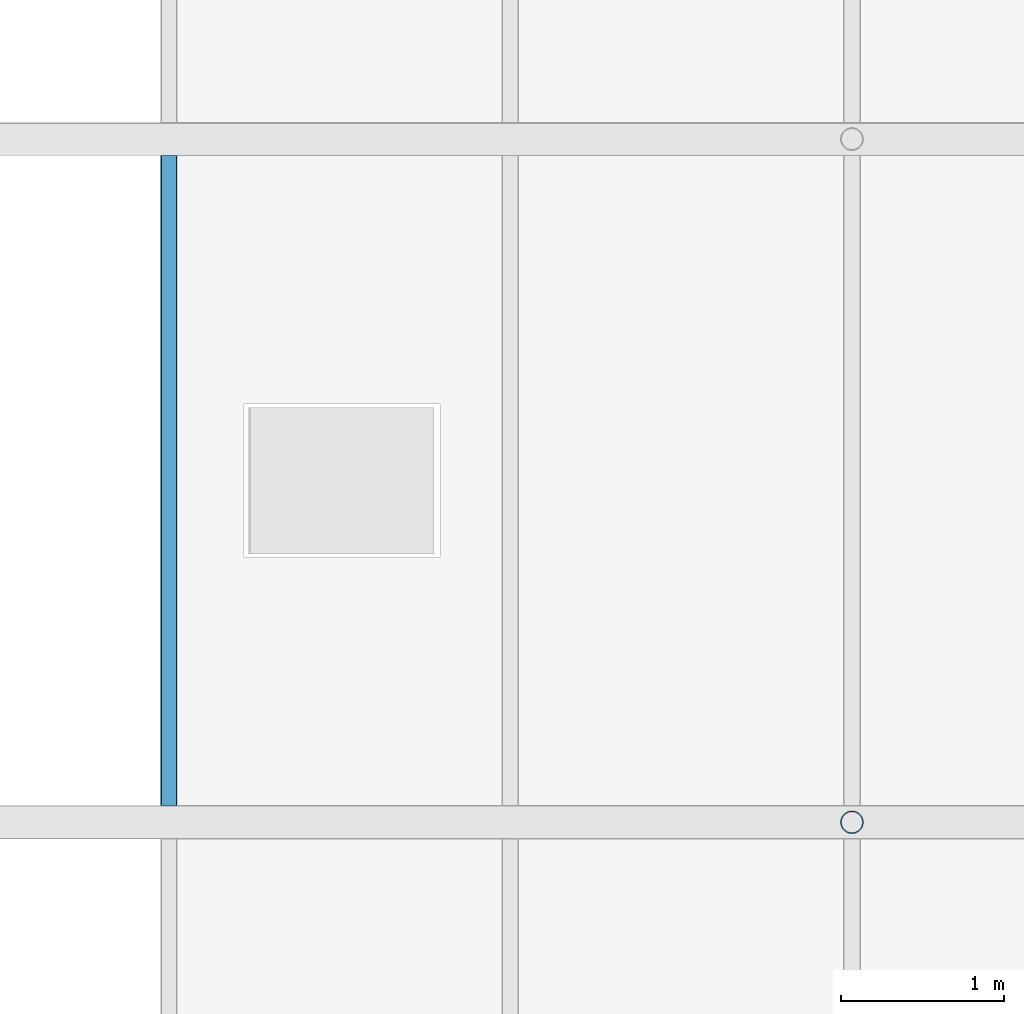
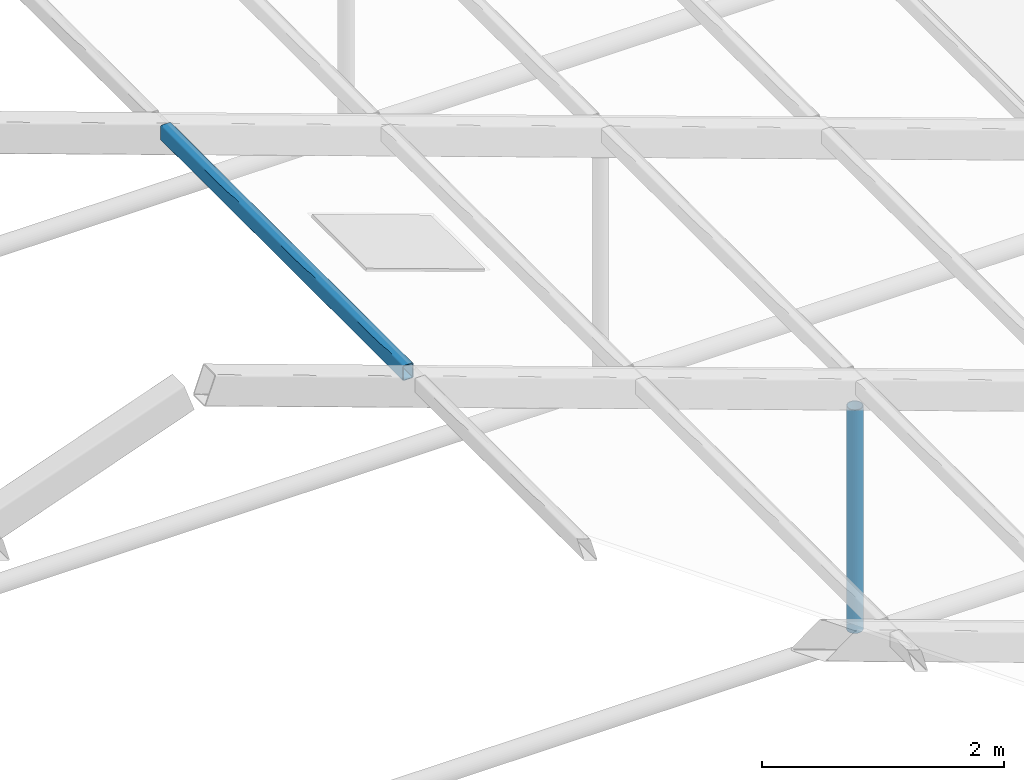
# One storey, part 45 of 116: 2 members.
"""IFC4 building model written with IfcOpenShell, lengths in metres."""

import ifcopenshell
import ifcopenshell.guid

model = None  # the IFC model being written
_history = None  # IfcOwnerHistory: only IFC2X3 demands one
_inside = {}  # id of a spatial element -> (the spatial element, [elements in it])
_under = {}  # id of a project, library or spatial element -> (it, [spatial elements below it])
_declared = {}  # id of a project -> (the project, [libraries it declares])
_typed = {}  # id of a type object -> (the type object, [elements of that type])
_made_of = {}  # id of a material, layer set ... -> (it, [elements and type objects made of it])


def new_model(schema):
    """Start an empty IFC model of exactly this schema.

    Asked for "IFC4X3", IfcOpenShell would pick the latest addendum, in which some entities
    have other attributes; the version numbers below select the first issue.
    IFC2X3 requires an IfcOwnerHistory on every rooted entity: one is made here for all.
    """
    global model, _history
    if schema == "IFC4X3":
        model = ifcopenshell.file(schema_version=(4, 3, 0, 0))
    else:
        model = ifcopenshell.file(schema=schema)
    _inside.clear()
    _under.clear()
    _declared.clear()
    _typed.clear()
    _made_of.clear()
    _history = None
    if model.schema == "IFC2X3":
        org = make("IfcOrganization", Name="unknown")
        user = make(
            "IfcPersonAndOrganization",
            ThePerson=make("IfcPerson", FamilyName="unknown"),
            TheOrganization=org,
        )
        app = make(
            "IfcApplication",
            ApplicationDeveloper=org,
            Version="unknown",
            ApplicationFullName="unknown",
            ApplicationIdentifier="unknown",
        )
        _history = make(
            "IfcOwnerHistory",
            OwningUser=user,
            OwningApplication=app,
            ChangeAction="ADDED",
            CreationDate=0,
        )
    return model


def make(cls, **values):
    """One entity of the class cls with the attributes given. An attribute that is None is left unset."""
    return model.create_entity(
        cls, **{name: value for name, value in values.items() if value is not None}
    )


def rooted(cls, **values):
    """An entity with a GlobalId (a new one), such as an element, a storey or a relation."""
    return make(cls, GlobalId=ifcopenshell.guid.new(), OwnerHistory=_history, **values)


def si_unit(unit_type, name, prefix=None):
    """IfcSIUnit, for example si_unit("LENGTHUNIT", "METRE", prefix="MILLI")."""
    return make("IfcSIUnit", UnitType=unit_type, Prefix=prefix, Name=name)


def assignment(units):
    """IfcUnitAssignment: the units of a project."""
    return None if units is None else make("IfcUnitAssignment", Units=units)


def point(xyz):
    """IfcCartesianPoint."""
    return None if xyz is None else make("IfcCartesianPoint", Coordinates=xyz)


def direction(xyz):
    """IfcDirection."""
    return None if xyz is None else make("IfcDirection", DirectionRatios=xyz)


def frame(location, z_axis=None, x_axis=None):
    """IfcAxis2Placement3D, a coordinate frame: its origin and axes. An axis left out is left unset."""
    return make(
        "IfcAxis2Placement3D",
        Location=point(location),
        Axis=direction(z_axis),
        RefDirection=direction(x_axis),
    )


def frame_2d(location, x_axis=None):
    """IfcAxis2Placement2D, a coordinate frame in the plane: its origin and x axis."""
    return make(
        "IfcAxis2Placement2D", Location=point(location), RefDirection=direction(x_axis)
    )


def origin():
    """The frame at (0, 0, 0) with its axes left unset."""
    return frame((0.0, 0.0, 0.0))


def origin_2d():
    """The frame at (0, 0) in the plane with its x axis left unset."""
    return frame_2d((0.0, 0.0))


def place(relative_to, where):
    """IfcLocalPlacement: puts the frame where relative to a parent placement (None: the world)."""
    return make(
        "IfcLocalPlacement", PlacementRelTo=relative_to, RelativePlacement=where
    )


def context(
    kind, dimensions, precision=None, world=None, true_north=None, identifier=None
):
    """IfcGeometricRepresentationContext, for example the 3D "Model" context."""
    return make(
        "IfcGeometricRepresentationContext",
        ContextIdentifier=identifier,
        ContextType=kind,
        CoordinateSpaceDimension=dimensions,
        Precision=precision,
        WorldCoordinateSystem=world,
        TrueNorth=true_north,
    )


def subcontext(parent, identifier, kind, view, scale=None):
    """IfcGeometricRepresentationSubContext, for example "Body" below "Model"."""
    return make(
        "IfcGeometricRepresentationSubContext",
        ContextIdentifier=identifier,
        ContextType=kind,
        ParentContext=parent,
        TargetScale=scale,
        TargetView=view,
    )


def project(units=None, contexts=None):
    """IfcProject with its units and contexts."""
    return rooted(
        "IfcProject",
        Name="project",
        RepresentationContexts=contexts,
        UnitsInContext=assignment(units),
    )


def spatial(cls, under=None, at=None, **own):
    """A site, building, storey or space (cls), placed at a placement, below another one or the project."""
    s = rooted(cls, ObjectPlacement=at, **own)
    if under is not None:
        _under.setdefault(under.id(), (under, []))[1].append(s)
    return s


def profile(cls, at=None, kind="AREA", **sizes):
    """A parametric profile (cls). Its sizes go by their IFC names, for example OverallWidth=200.0."""
    return make(cls, ProfileType=kind, Position=at, **sizes)


def hollow_rectangle(**sizes):
    """IfcRectangleHollowProfileDef."""
    return profile("IfcRectangleHollowProfileDef", **sizes)


def hollow_circle(**sizes):
    """IfcCircleHollowProfileDef."""
    return profile("IfcCircleHollowProfileDef", **sizes)


def extrude(swept, where, along, depth):
    """IfcExtrudedAreaSolid: the profile swept, set in the frame where, extruded along a direction by depth."""
    return make(
        "IfcExtrudedAreaSolid",
        SweptArea=swept,
        Position=where,
        ExtrudedDirection=direction(along),
        Depth=depth,
    )


def shape(context_of_items, identifier, shape_type, items):
    """IfcShapeRepresentation: the items that make up one representation, for example the "Body"."""
    return make(
        "IfcShapeRepresentation",
        ContextOfItems=context_of_items,
        RepresentationIdentifier=identifier,
        RepresentationType=shape_type,
        Items=items,
    )


def material(Name=None, Category=None):
    """IfcMaterial."""
    return make("IfcMaterial", Name=Name, Category=Category)


def material_profile(
    of_material, cross_section, Name=None, Category=None, Priority=None
):
    """IfcMaterialProfile: a cross section and its material."""
    return make(
        "IfcMaterialProfile",
        Name=Name,
        Material=of_material,
        Profile=cross_section,
        Priority=Priority,
        Category=Category,
    )


def profile_set(profiles, Name=None, composite=None):
    """IfcMaterialProfileSet."""
    return make(
        "IfcMaterialProfileSet",
        Name=Name,
        MaterialProfiles=profiles,
        CompositeProfile=composite,
    )


def made_of(thing, what):
    """Note that an element or type object is made of a material, layer set ...; save() writes the relation."""
    if what is not None:
        _made_of.setdefault(what.id(), (what, []))[1].append(thing)
    return thing


def type_object(cls, material=None, **own):
    """A type object (cls), such as IfcWallType, which elements share."""
    return made_of(rooted(cls, **own), material)


def element(
    cls,
    number,
    at=None,
    inside=None,
    cuts=None,
    type_object=None,
    material=None,
    context=None,
    identifier="Body",
    shape_type=None,
    held_by="IfcProductDefinitionShape",
    body=None,
    shapes=None,
    **own,
):
    """One element of the class cls, such as IfcWall. Its Tag is "e" and its number.

    at: its placement. inside: the storey or other place that contains it. cuts: it is an
    opening in that element (IfcRelVoidsElement). A single representation is given by context,
    identifier, shape_type and body (its items); several are given by shapes. held_by: the class
    of the entity that holds the representations. save() writes the other relations.
    """
    e = rooted(cls, Tag="e%d" % number, ObjectPlacement=at, **own)
    if body is not None:
        shapes = [shape(context, identifier, shape_type, body)]
    if shapes is not None:
        e.Representation = make(held_by, Representations=shapes)
    if inside is not None:
        _inside.setdefault(inside.id(), (inside, []))[1].append(e)
    if cuts is not None:
        rooted(
            "IfcRelVoidsElement", RelatingBuildingElement=cuts, RelatedOpeningElement=e
        )
    if type_object is not None:
        _typed.setdefault(type_object.id(), (type_object, []))[1].append(e)
    return made_of(e, material)


def aggregate(whole, parts):
    """IfcRelAggregates: a whole, such as a stair, and the parts it consists of."""
    return rooted("IfcRelAggregates", RelatingObject=whole, RelatedObjects=parts)


def save(model, path):
    """Write the relations noted so far, then the file.

    IfcRelAggregates (storeys below a building ...), IfcRelContainedInSpatialStructure (elements
    in a storey), IfcRelDefinesByType, IfcRelAssociatesMaterial and IfcRelDeclares: one each for
    every whole, place, type object, material and project.
    """
    for whole, parts in _under.values():
        aggregate(whole, parts)
    for where, things in _inside.values():
        rooted(
            "IfcRelContainedInSpatialStructure",
            RelatedElements=things,
            RelatingStructure=where,
        )
    for kind, things in _typed.values():
        rooted("IfcRelDefinesByType", RelatedObjects=things, RelatingType=kind)
    for what, things in _made_of.values():
        rooted("IfcRelAssociatesMaterial", RelatedObjects=things, RelatingMaterial=what)
    for by, libraries in _declared.values():
        rooted("IfcRelDeclares", RelatingContext=by, RelatedDefinitions=libraries)
    model.write(path)


model = new_model("IFC4")

# Units and contexts
model_context = context("Model", 3, precision=1e-05, world=origin(), true_north=direction((0.0, 1.0)))
body_context = subcontext(model_context, "Body", "Model", "MODEL_VIEW")
ifc_project = project(units=[si_unit("LENGTHUNIT", "METRE"), si_unit("AREAUNIT", "SQUARE_METRE"), si_unit("VOLUMEUNIT", "CUBIC_METRE"), si_unit("PLANEANGLEUNIT", "RADIAN"), si_unit("MASSUNIT", "GRAM", prefix="KILO")], contexts=[model_context])

# Site, building, storey
site_placement = place(None, origin())
site = spatial("IfcSite", under=ifc_project, at=site_placement, CompositionType="ELEMENT")
building_placement = place(site_placement, origin())
building = spatial("IfcBuilding", under=site, at=building_placement, Name="Fescue Hill Polytechnic", CompositionType="ELEMENT")
storey_placement = place(building_placement, frame((0.0, 0.0, 13.5)))
storey = spatial("IfcBuildingStorey", under=building, at=storey_placement, Name="L03", CompositionType="ELEMENT", Elevation=13.5)

# Members
ifc_material = material(Name="Steel 350W (350 MPa)", Category="steel")
ifc_material_profile_1 = material_profile(ifc_material, hollow_rectangle(XDim=0.1015625, YDim=0.15234375, WallThickness=0.00634765625, InnerFilletRadius=0.00634765625, OuterFilletRadius=0.0126953125, at=origin_2d()), Name="Winter garden glazing purlin HSS 152x102x6.4")
ifc_profile_set_1 = profile_set([ifc_material_profile_1], Name="Steel 350W (350 MPa)")
member_type_1 = type_object("IfcMemberType", Name="Winter garden glazing purlin HSS 152x102x6.4", PredefinedType="PURLIN", material=ifc_profile_set_1)
member_1_placement = place(storey_placement, frame((107.100341796875, 67.301513671875, 4.414306640625), z_axis=(0.0, 1.0, 0.0), x_axis=(-1.0, 0.0, 0.0)))
element("IfcMember", 1, at=member_1_placement, inside=storey, type_object=member_type_1, Name="Winter garden glazing purlin E5 bay 5", PredefinedType="PURLIN", context=body_context, shape_type="SweptSolid", body=[
    extrude(hollow_rectangle(XDim=0.1015625, YDim=0.15234375, WallThickness=0.00634765625, InnerFilletRadius=0.00634765625, OuterFilletRadius=0.0126953125, at=origin_2d()), origin(), (0.0, 0.0, 1.0), 3.996826171875),
])
ifc_material_profile_2 = material_profile(ifc_material, hollow_circle(Radius=0.070556640625, WallThickness=0.00634765625, at=origin_2d()), Name="Winter garden queen post CHS 141x6.4")
ifc_profile_set_2 = profile_set([ifc_material_profile_2], Name="Steel 350W (350 MPa)")
member_type_2 = type_object("IfcMemberType", Name="Winter garden queen post CHS 141x6.4", PredefinedType="POST", material=ifc_profile_set_2)
member_2_placement = place(storey_placement, frame((111.300048828125, 67.199951171875, 0.4169921875), z_axis=(0.0, 0.0, 1.0), x_axis=(1.0, 0.0, 0.0)))
element("IfcMember", 2, at=member_2_placement, inside=storey, type_object=member_type_2, Name="Winter garden queen post 5B", PredefinedType="POST", context=body_context, shape_type="SweptSolid", body=[
    extrude(hollow_circle(Radius=0.070556640625, WallThickness=0.00634765625, at=origin_2d()), origin(), (0.0, 0.0, 1.0), 2.25),
])

save(model, "model.ifc")
